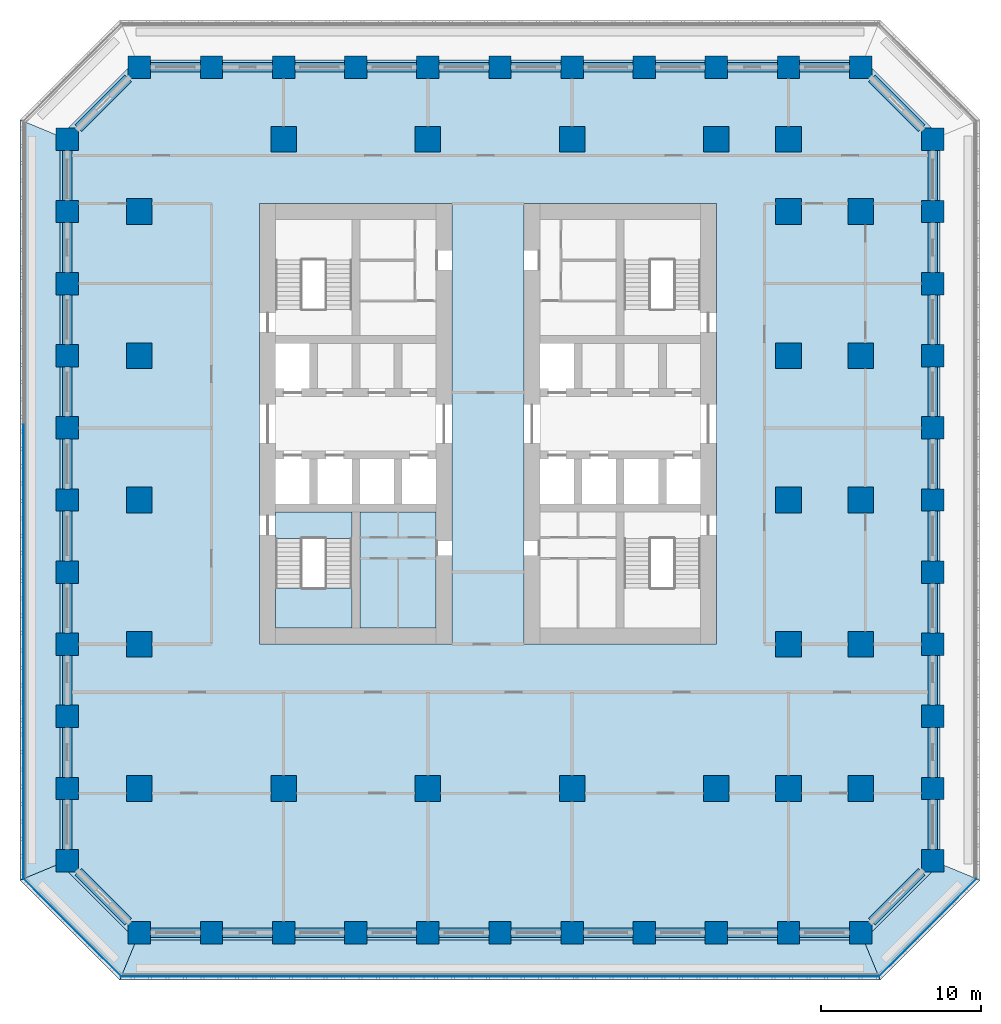
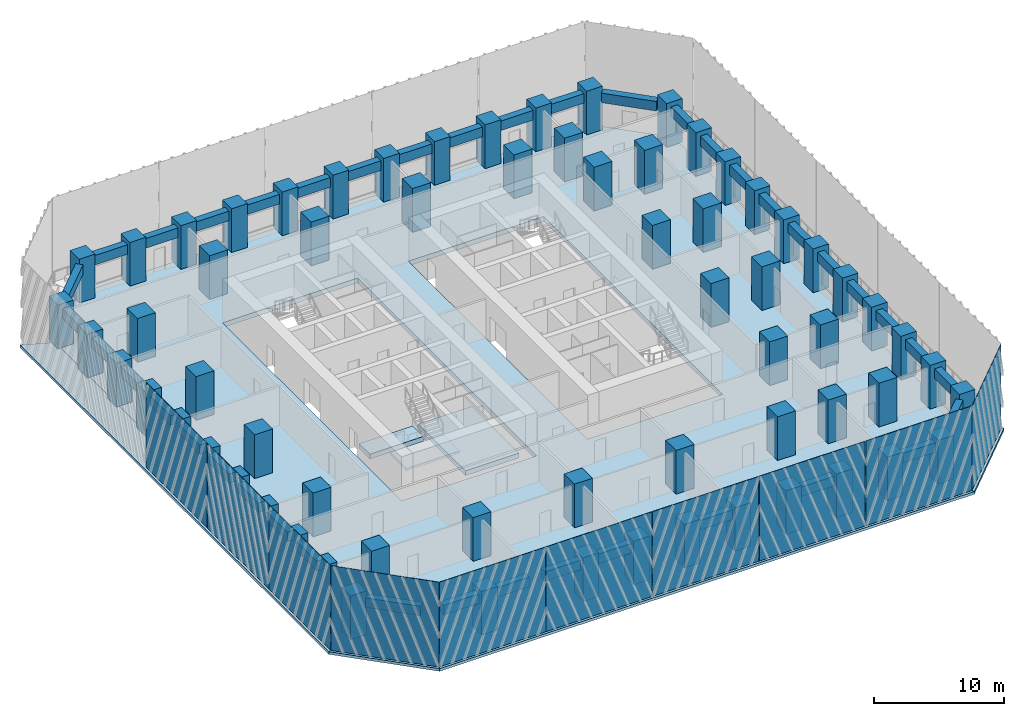
# One storey, part 1 of 14: 68 columns, 44 beams, 10 plates, 8 slabs, 1 element without a shape of its own.
"""IFC4 building model written with IfcOpenShell, lengths in metres."""

from ifc_helpers import new_model, si_unit, direction, frame, origin, origin_2d, place, context, subcontext, project, spatial, polyline, rectangle, outline, extrude, material, layer, layer_set, material_profile, profile_set, type_object, element, aggregate, save


model = new_model("IFC4")

# Units and contexts
model_context = context("Model", 3, precision=1e-05, world=origin(), true_north=direction((0.0, 1.0)))
body_context = subcontext(model_context, "Body", "Model", "MODEL_VIEW")
ifc_project = project(units=[si_unit("LENGTHUNIT", "METRE"), si_unit("AREAUNIT", "SQUARE_METRE"), si_unit("VOLUMEUNIT", "CUBIC_METRE"), si_unit("PLANEANGLEUNIT", "RADIAN"), si_unit("MASSUNIT", "GRAM", prefix="KILO")], contexts=[model_context])

# Site, building, storey
site_placement = place(None, origin())
site = spatial("IfcSite", under=ifc_project, at=site_placement, CompositionType="ELEMENT")
building_placement = place(site_placement, origin())
building = spatial("IfcBuilding", under=site, at=building_placement, Name="Corbel Stack Research Tower", CompositionType="ELEMENT")
storey_placement = place(building_placement, frame((0.0, 0.0, 58.300048828125)))
storey = spatial("IfcBuildingStorey", under=building, at=storey_placement, Name="L13", CompositionType="ELEMENT", Elevation=58.300048828125)

# Columns
ifc_material_1 = material(Name="Concrete C70/85", Category="concrete")
ifc_material_profile_1 = material_profile(ifc_material_1, rectangle(XDim=1.39990234375, YDim=1.39990234375, at=origin_2d()), Name="RC 1400 x 1400")
ifc_profile_set_1 = profile_set([ifc_material_profile_1], Name="Concrete C70/85")
column_type_1 = type_object("IfcColumnType", Name="C-1400-70", PredefinedType="COLUMN", material=ifc_profile_set_1)
for number, where, z_axis, x_axis, name in (
    (1, (-22.5, -22.5, 0.0), (0.0, 0.0, 1.0), (1.0, 0.0, 0.0), "Column 3/C L13"),
    (2, (-22.5, -18.0, 0.0), (0.0, 0.0, 1.0), (1.0, 0.0, 0.0), "Column 3/D L13"),
    (3, (-22.5, -13.5, 0.0), (0.0, 0.0, 1.0), (1.0, 0.0, 0.0), "Column 3/E L13"),
    (4, (-22.5, -9.0, 0.0), (0.0, 0.0, 1.0), (1.0, 0.0, 0.0), "Column 3/F L13"),
    (5, (-22.5, -4.5, 0.0), (0.0, 0.0, 1.0), (1.0, 0.0, 0.0), "Column 3/G L13"),
    (6, (-22.5, 0.0, 0.0), (0.0, 0.0, 1.0), (1.0, 0.0, 0.0), "Column 3/H L13"),
    (7, (-22.5, 4.5, 0.0), (0.0, 0.0, 1.0), (1.0, 0.0, 0.0), "Column 3/J L13"),
    (8, (-22.5, 9.0, 0.0), (0.0, 0.0, 1.0), (1.0, 0.0, 0.0), "Column 3/K L13"),
    (9, (-22.5, 13.5, 0.0), (0.0, 0.0, 1.0), (1.0, 0.0, 0.0), "Column 3/L L13"),
    (10, (-22.5, 18.0, 0.0), (0.0, 0.0, 1.0), (1.0, 0.0, 0.0), "Column 3/M L13"),
    (11, (-22.5, 22.5, 0.0), (0.0, 0.0, 1.0), (1.0, 0.0, 0.0), "Column 3/N L13"),
    (12, (-18.0, -27.0, 0.0), (0.0, 0.0, 1.0), (1.0, 0.0, 0.0), "Column 4/B L13"),
    (13, (-18.0, 27.0, 0.0), (0.0, 0.0, 1.0), (1.0, 0.0, 0.0), "Column 4/P L13"),
    (14, (-13.5, -27.0, 0.0), (0.0, 0.0, 1.0), (1.0, 0.0, 0.0), "Column 5/B L13"),
    (15, (-13.5, 27.0, 0.0), (0.0, 0.0, 1.0), (1.0, 0.0, 0.0), "Column 5/P L13"),
    (16, (-9.0, -27.0, 0.0), (0.0, 0.0, 1.0), (1.0, 0.0, 0.0), "Column 6/B L13"),
    (17, (-9.0, 27.0, 0.0), (0.0, 0.0, 1.0), (1.0, 0.0, 0.0), "Column 6/P L13"),
    (18, (-4.5, -27.0, 0.0), (0.0, 0.0, 1.0), (1.0, 0.0, 0.0), "Column 7/B L13"),
    (19, (-4.5, 27.0, 0.0), (0.0, 0.0, 1.0), (1.0, 0.0, 0.0), "Column 7/P L13"),
    (20, (0.0, -27.0, 0.0), (0.0, 0.0, 1.0), (1.0, 0.0, 0.0), "Column 8/B L13"),
    (21, (0.0, 27.0, 0.0), (0.0, 0.0, 1.0), (1.0, 0.0, 0.0), "Column 8/P L13"),
    (22, (4.5, -27.0, 0.0), (0.0, 0.0, 1.0), (1.0, 0.0, 0.0), "Column 9/B L13"),
    (23, (4.5, 27.0, 0.0), (0.0, 0.0, 1.0), (1.0, 0.0, 0.0), "Column 9/P L13"),
    (24, (9.0, -27.0, 0.0), (0.0, 0.0, 1.0), (1.0, 0.0, 0.0), "Column 10/B L13"),
    (25, (9.0, 27.0, 0.0), (0.0, 0.0, 1.0), (1.0, 0.0, 0.0), "Column 10/P L13"),
    (26, (13.5, -27.0, 0.0), (0.0, 0.0, 1.0), (1.0, 0.0, 0.0), "Column 11/B L13"),
    (27, (13.5, 27.0, 0.0), (0.0, 0.0, 1.0), (1.0, 0.0, 0.0), "Column 11/P L13"),
    (28, (18.0, -27.0, 0.0), (0.0, 0.0, 1.0), (1.0, 0.0, 0.0), "Column 12/B L13"),
    (29, (18.0, 27.0, 0.0), (0.0, 0.0, 1.0), (1.0, 0.0, 0.0), "Column 12/P L13"),
    (30, (22.5, -27.0, 0.0), (0.0, 0.0, 1.0), (1.0, 0.0, 0.0), "Column 13/B L13"),
    (31, (22.5, 27.0, 0.0), (0.0, 0.0, 1.0), (1.0, 0.0, 0.0), "Column 13/P L13"),
    (32, (27.0, -27.0, 0.0), (0.0, 0.0, 1.0), (1.0, 0.0, 0.0), "Column 14/B L13"),
    (33, (27.0, 27.0, 0.0), (0.0, 0.0, 1.0), (1.0, 0.0, 0.0), "Column 14/P L13"),
    (34, (31.5, -22.5, 0.0), (0.0, 0.0, 1.0), (1.0, 0.0, 0.0), "Column 15/C L13"),
    (35, (31.5, -18.0, 0.0), (0.0, 0.0, 1.0), (1.0, 0.0, 0.0), "Column 15/D L13"),
    (36, (31.5, -13.5, 0.0), (0.0, 0.0, 1.0), (1.0, 0.0, 0.0), "Column 15/E L13"),
    (37, (31.5, -9.0, 0.0), (0.0, 0.0, 1.0), (1.0, 0.0, 0.0), "Column 15/F L13"),
    (38, (31.5, -4.5, 0.0), (0.0, 0.0, 1.0), (1.0, 0.0, 0.0), "Column 15/G L13"),
    (39, (31.5, 0.0, 0.0), (0.0, 0.0, 1.0), (1.0, 0.0, 0.0), "Column 15/H L13"),
    (40, (31.5, 4.5, 0.0), (0.0, 0.0, 1.0), (1.0, 0.0, 0.0), "Column 15/J L13"),
    (41, (31.5, 9.0, 0.0), (0.0, 0.0, 1.0), (1.0, 0.0, 0.0), "Column 15/K L13"),
    (42, (31.5, 13.5, 0.0), (0.0, 0.0, 1.0), (1.0, 0.0, 0.0), "Column 15/L L13"),
    (43, (31.5, 18.0, 0.0), (0.0, 0.0, 1.0), (1.0, 0.0, 0.0), "Column 15/M L13"),
    (44, (31.5, 22.5, 0.0), (0.0, 0.0, 1.0), (1.0, 0.0, 0.0), "Column 15/N L13"),
):
    element("IfcColumn", number, at=place(storey_placement, frame(where, z_axis=z_axis, x_axis=x_axis)), inside=storey, type_object=column_type_1, Name=name, PredefinedType="COLUMN", context=body_context, shape_type="SweptSolid", body=[
        extrude(rectangle(XDim=1.39990234375, YDim=1.39990234375, at=origin_2d()), origin(), (0.0, 0.0, 1.0), 4.099853515625),
    ])
ifc_material_2 = material(Name="Concrete C70/85", Category="concrete")
ifc_material_profile_2 = material_profile(ifc_material_2, rectangle(XDim=1.60009765625, YDim=1.60009765625, at=origin_2d()), Name="RC 1600 x 1600")
ifc_profile_set_2 = profile_set([ifc_material_profile_2], Name="Concrete C70/85")
column_type_2 = type_object("IfcColumnType", Name="C-1600-70", PredefinedType="COLUMN", material=ifc_profile_set_2)
for number, where, z_axis, x_axis, name in (
    (45, (-18.0, -18.0, 0.0), (0.0, 0.0, 1.0), (1.0, 0.0, 0.0), "Column 4/D L13"),
    (46, (-18.0, -9.0, 0.0), (0.0, 0.0, 1.0), (1.0, 0.0, 0.0), "Column 4/F L13"),
    (47, (-18.0, 0.0, 0.0), (0.0, 0.0, 1.0), (1.0, 0.0, 0.0), "Column 4/H L13"),
    (48, (-18.0, 9.0, 0.0), (0.0, 0.0, 1.0), (1.0, 0.0, 0.0), "Column 4/K L13"),
    (49, (-18.0, 18.0, 0.0), (0.0, 0.0, 1.0), (1.0, 0.0, 0.0), "Column 4/M L13"),
    (50, (-9.0, -18.0, 0.0), (0.0, 0.0, 1.0), (1.0, 0.0, 0.0), "Column 6/D L13"),
    (51, (-9.0, 22.5, 0.0), (0.0, 0.0, 1.0), (1.0, 0.0, 0.0), "Column 6/N L13"),
    (52, (0.0, -18.0, 0.0), (0.0, 0.0, 1.0), (1.0, 0.0, 0.0), "Column 8/D L13"),
    (53, (0.0, 22.5, 0.0), (0.0, 0.0, 1.0), (1.0, 0.0, 0.0), "Column 8/N L13"),
    (54, (9.0, -18.0, 0.0), (0.0, 0.0, 1.0), (1.0, 0.0, 0.0), "Column 10/D L13"),
    (55, (9.0, 22.5, 0.0), (0.0, 0.0, 1.0), (1.0, 0.0, 0.0), "Column 10/N L13"),
    (56, (18.0, -18.0, 0.0), (0.0, 0.0, 1.0), (1.0, 0.0, 0.0), "Column 12/D L13"),
    (57, (18.0, 22.5, 0.0), (0.0, 0.0, 1.0), (1.0, 0.0, 0.0), "Column 12/N L13"),
    (58, (22.5, -18.0, 0.0), (0.0, 0.0, 1.0), (1.0, 0.0, 0.0), "Column 13/D L13"),
    (59, (22.5, -9.0, 0.0), (0.0, 0.0, 1.0), (1.0, 0.0, 0.0), "Column 13/F L13"),
    (60, (22.5, 0.0, 0.0), (0.0, 0.0, 1.0), (1.0, 0.0, 0.0), "Column 13/H L13"),
    (61, (22.5, 9.0, 0.0), (0.0, 0.0, 1.0), (1.0, 0.0, 0.0), "Column 13/K L13"),
    (62, (22.5, 18.0, 0.0), (0.0, 0.0, 1.0), (1.0, 0.0, 0.0), "Column 13/M L13"),
    (63, (22.5, 22.5, 0.0), (0.0, 0.0, 1.0), (1.0, 0.0, 0.0), "Column 13/N L13"),
    (64, (27.0, -18.0, 0.0), (0.0, 0.0, 1.0), (1.0, 0.0, 0.0), "Column 14/D L13"),
    (65, (27.0, -9.0, 0.0), (0.0, 0.0, 1.0), (1.0, 0.0, 0.0), "Column 14/F L13"),
    (66, (27.0, 0.0, 0.0), (0.0, 0.0, 1.0), (1.0, 0.0, 0.0), "Column 14/H L13"),
    (67, (27.0, 9.0, 0.0), (0.0, 0.0, 1.0), (1.0, 0.0, 0.0), "Column 14/K L13"),
    (68, (27.0, 18.0, 0.0), (0.0, 0.0, 1.0), (1.0, 0.0, 0.0), "Column 14/M L13"),
):
    element("IfcColumn", number, at=place(storey_placement, frame(where, z_axis=z_axis, x_axis=x_axis)), inside=storey, type_object=column_type_2, Name=name, PredefinedType="COLUMN", context=body_context, shape_type="SweptSolid", body=[
        extrude(rectangle(XDim=1.60009765625, YDim=1.60009765625, at=origin_2d()), origin(), (0.0, 0.0, 1.0), 4.099853515625),
    ])

# Beams
ifc_material_3 = material(Name="Concrete C60/75", Category="concrete")
ifc_material_profile_3 = material_profile(ifc_material_3, rectangle(XDim=0.60009765625, YDim=0.89990234375, at=origin_2d()), Name="RC 600 x 900")
ifc_profile_set_3 = profile_set([ifc_material_profile_3], Name="Concrete C60/75")
beam_type = type_object("IfcBeamType", Name="SB-600-900-450", PredefinedType="SPANDREL", material=ifc_profile_set_3)
for number, where, z_axis, x_axis, name in (
    (69, (-17.300048828125, -27.0, 3.199951171875), (1.0, 0.0, 0.0), (0.0, 1.0, 0.0), "Spandrel beam L13-01"),
    (70, (-12.800048828125, -27.0, 3.199951171875), (1.0, 0.0, 0.0), (0.0, 1.0, 0.0), "Spandrel beam L13-02"),
    (71, (-8.300048828125, -27.0, 3.199951171875), (1.0, 0.0, 0.0), (0.0, 1.0, 0.0), "Spandrel beam L13-03"),
    (72, (-3.800048828125, -27.0, 3.199951171875), (1.0, 0.0, 0.0), (0.0, 1.0, 0.0), "Spandrel beam L13-04"),
    (73, (0.699951171875, -27.0, 3.199951171875), (1.0, 0.0, 0.0), (0.0, 1.0, 0.0), "Spandrel beam L13-05"),
    (74, (5.199951171875, -27.0, 3.199951171875), (1.0, 0.0, 0.0), (0.0, 1.0, 0.0), "Spandrel beam L13-06"),
    (75, (9.699951171875, -27.0, 3.199951171875), (1.0, 0.0, 0.0), (0.0, 1.0, 0.0), "Spandrel beam L13-07"),
    (76, (14.199951171875, -27.0, 3.199951171875), (1.0, 0.0, 0.0), (0.0, 1.0, 0.0), "Spandrel beam L13-08"),
    (77, (18.699951171875, -27.0, 3.199951171875), (1.0, 0.0, 0.0), (0.0, 1.0, 0.0), "Spandrel beam L13-09"),
    (78, (23.199951171875, -27.0, 3.199951171875), (1.0, 0.0, 0.0), (0.0, 1.0, 0.0), "Spandrel beam L13-10"),
):
    element("IfcBeam", number, at=place(storey_placement, frame(where, z_axis=z_axis, x_axis=x_axis)), inside=storey, type_object=beam_type, Name=name, PredefinedType="SPANDREL", context=body_context, shape_type="SweptSolid", body=[
        extrude(rectangle(XDim=0.60009765625, YDim=0.89990234375, at=origin_2d()), origin(), (0.0, 0.0, 1.0), 3.10009765625),
    ])
beam_1_placement = place(storey_placement, frame((27.699951171875, -26.300048828125, 3.199951171875), z_axis=(0.707106781187, 0.707106781187, 0.0), x_axis=(-0.707106781187, 0.707106781187, 0.0)))
element("IfcBeam", 79, at=beam_1_placement, inside=storey, type_object=beam_type, Name="Spandrel beam L13-11", PredefinedType="SPANDREL", context=body_context, shape_type="SweptSolid", body=[
    extrude(rectangle(XDim=0.60009765625, YDim=0.89990234375, at=origin_2d()), origin(), (0.0, 0.0, 1.0), 4.38427734375),
])
for number, where, z_axis, x_axis, name in (
    (80, (31.5, -21.800048828125, 3.199951171875), (0.0, 1.0, 0.0), (-1.0, 0.0, 0.0), "Spandrel beam L13-12"),
    (81, (31.5, -17.300048828125, 3.199951171875), (0.0, 1.0, 0.0), (-1.0, 0.0, 0.0), "Spandrel beam L13-13"),
    (82, (31.5, -12.800048828125, 3.199951171875), (0.0, 1.0, 0.0), (-1.0, 0.0, 0.0), "Spandrel beam L13-14"),
    (83, (31.5, -8.300048828125, 3.199951171875), (0.0, 1.0, 0.0), (-1.0, 0.0, 0.0), "Spandrel beam L13-15"),
    (84, (31.5, -3.800048828125, 3.199951171875), (0.0, 1.0, 0.0), (-1.0, 0.0, 0.0), "Spandrel beam L13-16"),
    (85, (31.5, 0.699951171875, 3.199951171875), (0.0, 1.0, 0.0), (-1.0, 0.0, 0.0), "Spandrel beam L13-17"),
    (86, (31.5, 5.199951171875, 3.199951171875), (0.0, 1.0, 0.0), (-1.0, 0.0, 0.0), "Spandrel beam L13-18"),
    (87, (31.5, 9.699951171875, 3.199951171875), (0.0, 1.0, 0.0), (-1.0, 0.0, 0.0), "Spandrel beam L13-19"),
    (88, (31.5, 14.199951171875, 3.199951171875), (0.0, 1.0, 0.0), (-1.0, 0.0, 0.0), "Spandrel beam L13-20"),
    (89, (31.5, 18.699951171875, 3.199951171875), (0.0, 1.0, 0.0), (-1.0, 0.0, 0.0), "Spandrel beam L13-21"),
):
    element("IfcBeam", number, at=place(storey_placement, frame(where, z_axis=z_axis, x_axis=x_axis)), inside=storey, type_object=beam_type, Name=name, PredefinedType="SPANDREL", context=body_context, shape_type="SweptSolid", body=[
        extrude(rectangle(XDim=0.60009765625, YDim=0.89990234375, at=origin_2d()), origin(), (0.0, 0.0, 1.0), 3.10009765625),
    ])
beam_2_placement = place(storey_placement, frame((30.800048828125, 23.199951171875, 3.199951171875), z_axis=(-0.707106781187, 0.707106781187, 0.0), x_axis=(-0.707106781187, -0.707106781187, 0.0)))
element("IfcBeam", 90, at=beam_2_placement, inside=storey, type_object=beam_type, Name="Spandrel beam L13-22", PredefinedType="SPANDREL", context=body_context, shape_type="SweptSolid", body=[
    extrude(rectangle(XDim=0.60009765625, YDim=0.89990234375, at=origin_2d()), origin(), (0.0, 0.0, 1.0), 4.38427734375),
])
for number, where, z_axis, x_axis, name in (
    (91, (26.300048828125, 27.0, 3.199951171875), (-1.0, 0.0, 0.0), (0.0, -1.0, 0.0), "Spandrel beam L13-23"),
    (92, (21.800048828125, 27.0, 3.199951171875), (-1.0, 0.0, 0.0), (0.0, -1.0, 0.0), "Spandrel beam L13-24"),
    (93, (17.300048828125, 27.0, 3.199951171875), (-1.0, 0.0, 0.0), (0.0, -1.0, 0.0), "Spandrel beam L13-25"),
    (94, (12.800048828125, 27.0, 3.199951171875), (-1.0, 0.0, 0.0), (0.0, -1.0, 0.0), "Spandrel beam L13-26"),
    (95, (8.300048828125, 27.0, 3.199951171875), (-1.0, 0.0, 0.0), (0.0, -1.0, 0.0), "Spandrel beam L13-27"),
    (96, (3.800048828125, 27.0, 3.199951171875), (-1.0, 0.0, 0.0), (0.0, -1.0, 0.0), "Spandrel beam L13-28"),
    (97, (-0.699951171875, 27.0, 3.199951171875), (-1.0, 0.0, 0.0), (0.0, -1.0, 0.0), "Spandrel beam L13-29"),
    (98, (-5.199951171875, 27.0, 3.199951171875), (-1.0, 0.0, 0.0), (0.0, -1.0, 0.0), "Spandrel beam L13-30"),
    (99, (-9.699951171875, 27.0, 3.199951171875), (-1.0, 0.0, 0.0), (0.0, -1.0, 0.0), "Spandrel beam L13-31"),
    (100, (-14.199951171875, 27.0, 3.199951171875), (-1.0, 0.0, 0.0), (0.0, -1.0, 0.0), "Spandrel beam L13-32"),
):
    element("IfcBeam", number, at=place(storey_placement, frame(where, z_axis=z_axis, x_axis=x_axis)), inside=storey, type_object=beam_type, Name=name, PredefinedType="SPANDREL", context=body_context, shape_type="SweptSolid", body=[
        extrude(rectangle(XDim=0.60009765625, YDim=0.89990234375, at=origin_2d()), origin(), (0.0, 0.0, 1.0), 3.10009765625),
    ])
beam_3_placement = place(storey_placement, frame((-18.699951171875, 26.300048828125, 3.199951171875), z_axis=(-0.707106781187, -0.707106781187, 0.0), x_axis=(0.707106781187, -0.707106781187, 0.0)))
element("IfcBeam", 101, at=beam_3_placement, inside=storey, type_object=beam_type, Name="Spandrel beam L13-33", PredefinedType="SPANDREL", context=body_context, shape_type="SweptSolid", body=[
    extrude(rectangle(XDim=0.60009765625, YDim=0.89990234375, at=origin_2d()), origin(), (0.0, 0.0, 1.0), 4.38427734375),
])
for number, where, z_axis, x_axis, name in (
    (102, (-22.5, 21.800048828125, 3.199951171875), (0.0, -1.0, 0.0), (1.0, 0.0, 0.0), "Spandrel beam L13-34"),
    (103, (-22.5, 17.300048828125, 3.199951171875), (0.0, -1.0, 0.0), (1.0, 0.0, 0.0), "Spandrel beam L13-35"),
    (104, (-22.5, 12.800048828125, 3.199951171875), (0.0, -1.0, 0.0), (1.0, 0.0, 0.0), "Spandrel beam L13-36"),
    (105, (-22.5, 8.300048828125, 3.199951171875), (0.0, -1.0, 0.0), (1.0, 0.0, 0.0), "Spandrel beam L13-37"),
    (106, (-22.5, 3.800048828125, 3.199951171875), (0.0, -1.0, 0.0), (1.0, 0.0, 0.0), "Spandrel beam L13-38"),
    (107, (-22.5, -0.699951171875, 3.199951171875), (0.0, -1.0, 0.0), (1.0, 0.0, 0.0), "Spandrel beam L13-39"),
    (108, (-22.5, -5.199951171875, 3.199951171875), (0.0, -1.0, 0.0), (1.0, 0.0, 0.0), "Spandrel beam L13-40"),
    (109, (-22.5, -9.699951171875, 3.199951171875), (0.0, -1.0, 0.0), (1.0, 0.0, 0.0), "Spandrel beam L13-41"),
    (110, (-22.5, -14.199951171875, 3.199951171875), (0.0, -1.0, 0.0), (1.0, 0.0, 0.0), "Spandrel beam L13-42"),
    (111, (-22.5, -18.699951171875, 3.199951171875), (0.0, -1.0, 0.0), (1.0, 0.0, 0.0), "Spandrel beam L13-43"),
):
    element("IfcBeam", number, at=place(storey_placement, frame(where, z_axis=z_axis, x_axis=x_axis)), inside=storey, type_object=beam_type, Name=name, PredefinedType="SPANDREL", context=body_context, shape_type="SweptSolid", body=[
        extrude(rectangle(XDim=0.60009765625, YDim=0.89990234375, at=origin_2d()), origin(), (0.0, 0.0, 1.0), 3.10009765625),
    ])
beam_4_placement = place(storey_placement, frame((-21.800048828125, -23.199951171875, 3.199951171875), z_axis=(0.707106781187, -0.707106781187, 0.0), x_axis=(0.707106781187, 0.707106781187, 0.0)))
element("IfcBeam", 112, at=beam_4_placement, inside=storey, type_object=beam_type, Name="Spandrel beam L13-44", PredefinedType="SPANDREL", context=body_context, shape_type="SweptSolid", body=[
    extrude(rectangle(XDim=0.60009765625, YDim=0.89990234375, at=origin_2d()), origin(), (0.0, 0.0, 1.0), 4.38427734375),
])

# Plates
ifc_material_4 = material(Name="Fritted glass", Category="glass")
ifc_layer_1 = layer(ifc_material_4, 0.02490234375)
ifc_layer_set_1 = layer_set([ifc_layer_1], Name="Fritted glass")
plate_type = type_object("IfcPlateType", Name="Fritted glass panel 25", PredefinedType="SHEET", material=ifc_layer_set_1)
for number, where, z_axis, x_axis, name in (
    (113, (-14.411376953125, -29.737548828125, 0.0), (0.0, 0.0, 1.0), (1.0, 0.0, 0.0), "Fritted glass L13 S1"),
    (114, (-4.95556640625, -29.737548828125, 0.0), (0.0, 0.0, 1.0), (1.0, 0.0, 0.0), "Fritted glass L13 S2"),
    (115, (4.5, -29.737548828125, 0.0), (0.0, 0.0, 1.0), (1.0, 0.0, 0.0), "Fritted glass L13 S3"),
    (116, (13.95556640625, -29.737548828125, 0.0), (0.0, 0.0, 1.0), (1.0, 0.0, 0.0), "Fritted glass L13 S4"),
    (117, (23.411376953125, -29.737548828125, 0.0), (0.0, 0.0, 1.0), (1.0, 0.0, 0.0), "Fritted glass L13 S5"),
):
    element("IfcPlate", number, at=place(storey_placement, frame(where, z_axis=z_axis, x_axis=x_axis)), inside=storey, type_object=plate_type, Name=name, PredefinedType="SHEET", context=body_context, shape_type="SweptSolid", body=[
        extrude(rectangle(XDim=9.3955078125, YDim=0.02490234375, at=origin_2d()), origin(), (0.0, 0.0, 1.0), 7.949951171875),
    ])
plate_1_placement = place(storey_placement, frame((31.185791015625, -26.685791015625, 0.0), z_axis=(0.0, 0.0, 1.0), x_axis=(0.707106781187, 0.707106781187, 0.0)))
element("IfcPlate", 118, at=plate_1_placement, inside=storey, type_object=plate_type, Name="Fritted glass L13 SE1", PredefinedType="SHEET", context=body_context, shape_type="SweptSolid", body=[
    extrude(rectangle(XDim=8.58203125, YDim=0.02490234375, at=origin_2d()), origin(), (0.0, 0.0, 1.0), 7.949951171875),
])
for number, where, z_axis, x_axis, name in (
    (119, (-25.237548828125, 0.0, 0.0), (0.0, 0.0, 1.0), (0.0, -1.0, 0.0), "Fritted glass L13 W3"),
    (120, (-25.237548828125, -9.45556640625, 0.0), (0.0, 0.0, 1.0), (0.0, -1.0, 0.0), "Fritted glass L13 W4"),
    (121, (-25.237548828125, -18.911376953125, 0.0), (0.0, 0.0, 1.0), (0.0, -1.0, 0.0), "Fritted glass L13 W5"),
):
    element("IfcPlate", number, at=place(storey_placement, frame(where, z_axis=z_axis, x_axis=x_axis)), inside=storey, type_object=plate_type, Name=name, PredefinedType="SHEET", context=body_context, shape_type="SweptSolid", body=[
        extrude(rectangle(XDim=9.3955078125, YDim=0.02490234375, at=origin_2d()), origin(), (0.0, 0.0, 1.0), 7.949951171875),
    ])
plate_2_placement = place(storey_placement, frame((-22.185791015625, -26.685791015625, 0.0), z_axis=(0.0, 0.0, 1.0), x_axis=(0.707106781187, -0.707106781187, 0.0)))
element("IfcPlate", 122, at=plate_2_placement, inside=storey, type_object=plate_type, Name="Fritted glass L13 SW1", PredefinedType="SHEET", context=body_context, shape_type="SweptSolid", body=[
    extrude(rectangle(XDim=8.58203125, YDim=0.02490234375, at=origin_2d()), origin(), (0.0, 0.0, 1.0), 7.949951171875),
])

# Slabs
ifc_material_5 = material(Name="Concrete C45/55", Category="concrete")
ifc_layer_2 = layer(ifc_material_5, 0.25)
ifc_layer_set_2 = layer_set([ifc_layer_2], Name="Concrete C45/55")
slab_type_1 = type_object("IfcSlabType", Name="PT balcony slab 250 C45/55", PredefinedType="FLOOR", material=ifc_layer_set_2)
slab_1_placement = place(storey_placement, frame((0.0, 0.0, -0.25)))
element("IfcSlab", 123, at=slab_1_placement, inside=storey, type_object=slab_type_1, Name="Loggia slab L13 S", PredefinedType="FLOOR", context=body_context, shape_type="SweptSolid", body=[
    extrude(outline(polyline([(27.289794921875, -27.699951171875), (26.300048828125, -27.699951171875), (26.300048828125, -27.449951171875), (23.199951171875, -27.449951171875), (23.199951171875, -27.699951171875), (21.800048828125, -27.699951171875), (21.800048828125, -27.449951171875), (18.699951171875, -27.449951171875), (18.699951171875, -27.699951171875), (17.300048828125, -27.699951171875), (17.300048828125, -27.449951171875), (14.199951171875, -27.449951171875), (14.199951171875, -27.699951171875), (12.800048828125, -27.699951171875), (12.800048828125, -27.449951171875), (9.699951171875, -27.449951171875), (9.699951171875, -27.699951171875), (8.300048828125, -27.699951171875), (8.300048828125, -27.449951171875), (5.199951171875, -27.449951171875), (5.199951171875, -27.699951171875), (3.800048828125, -27.699951171875), (3.800048828125, -27.449951171875), (0.699951171875, -27.449951171875), (0.699951171875, -27.699951171875), (-0.699951171875, -27.699951171875), (-0.699951171875, -27.449951171875), (-3.800048828125, -27.449951171875), (-3.800048828125, -27.699951171875), (-5.199951171875, -27.699951171875), (-5.199951171875, -27.449951171875), (-8.300048828125, -27.449951171875), (-8.300048828125, -27.699951171875), (-9.699951171875, -27.699951171875), (-9.699951171875, -27.449951171875), (-12.800048828125, -27.449951171875), (-12.800048828125, -27.699951171875), (-14.199951171875, -27.699951171875), (-14.199951171875, -27.449951171875), (-17.300048828125, -27.449951171875), (-17.300048828125, -27.699951171875), (-18.289794921875, -27.699951171875), (-19.221923828125, -29.949951171875), (28.221923828125, -29.949951171875), (27.289794921875, -27.699951171875)])), origin(), (0.0, 0.0, 1.0), 0.25),
])
slab_2_placement = place(storey_placement, frame((0.0, 0.0, -0.25)))
element("IfcSlab", 124, at=slab_2_placement, inside=storey, type_object=slab_type_1, Name="Loggia slab L13 SE", PredefinedType="FLOOR", context=body_context, shape_type="SweptSolid", body=[
    extrude(outline(polyline([(32.199951171875, -22.789794921875), (32.199951171875, -23.199951171875), (31.436279296875, -23.199951171875), (27.699951171875, -26.936279296875), (27.699951171875, -27.699951171875), (27.289794921875, -27.699951171875), (28.221923828125, -29.949951171875), (34.449951171875, -23.721923828125), (32.199951171875, -22.789794921875)])), origin(), (0.0, 0.0, 1.0), 0.25),
])
slab_3_placement = place(storey_placement, frame((0.0, 0.0, -0.25)))
element("IfcSlab", 125, at=slab_3_placement, inside=storey, type_object=slab_type_1, Name="Loggia slab L13 W", PredefinedType="FLOOR", context=body_context, shape_type="SweptSolid", body=[
    extrude(outline(polyline([(-23.199951171875, -22.789794921875), (-23.199951171875, -21.800048828125), (-22.949951171875, -21.800048828125), (-22.949951171875, -18.699951171875), (-23.199951171875, -18.699951171875), (-23.199951171875, -17.300048828125), (-22.949951171875, -17.300048828125), (-22.949951171875, -14.199951171875), (-23.199951171875, -14.199951171875), (-23.199951171875, -12.800048828125), (-22.949951171875, -12.800048828125), (-22.949951171875, -9.699951171875), (-23.199951171875, -9.699951171875), (-23.199951171875, -8.300048828125), (-22.949951171875, -8.300048828125), (-22.949951171875, -5.199951171875), (-23.199951171875, -5.199951171875), (-23.199951171875, -3.800048828125), (-22.949951171875, -3.800048828125), (-22.949951171875, -0.699951171875), (-23.199951171875, -0.699951171875), (-23.199951171875, 0.699951171875), (-22.949951171875, 0.699951171875), (-22.949951171875, 3.800048828125), (-23.199951171875, 3.800048828125), (-23.199951171875, 5.199951171875), (-22.949951171875, 5.199951171875), (-22.949951171875, 8.300048828125), (-23.199951171875, 8.300048828125), (-23.199951171875, 9.699951171875), (-22.949951171875, 9.699951171875), (-22.949951171875, 12.800048828125), (-23.199951171875, 12.800048828125), (-23.199951171875, 14.199951171875), (-22.949951171875, 14.199951171875), (-22.949951171875, 17.300048828125), (-23.199951171875, 17.300048828125), (-23.199951171875, 18.699951171875), (-22.949951171875, 18.699951171875), (-22.949951171875, 21.800048828125), (-23.199951171875, 21.800048828125), (-23.199951171875, 22.789794921875), (-25.449951171875, 23.721923828125), (-25.449951171875, -23.721923828125), (-23.199951171875, -22.789794921875)])), origin(), (0.0, 0.0, 1.0), 0.25),
])
slab_4_placement = place(storey_placement, frame((0.0, 0.0, -0.25)))
element("IfcSlab", 126, at=slab_4_placement, inside=storey, type_object=slab_type_1, Name="Loggia slab L13 SW", PredefinedType="FLOOR", context=body_context, shape_type="SweptSolid", body=[
    extrude(outline(polyline([(-18.289794921875, -27.699951171875), (-18.699951171875, -27.699951171875), (-18.699951171875, -26.936279296875), (-22.436279296875, -23.199951171875), (-23.199951171875, -23.199951171875), (-23.199951171875, -22.789794921875), (-25.449951171875, -23.721923828125), (-19.221923828125, -29.949951171875), (-18.289794921875, -27.699951171875)])), origin(), (0.0, 0.0, 1.0), 0.25),
])
ifc_material_6 = material(Name="Concrete C45/55", Category="concrete")
ifc_layer_3 = layer(ifc_material_6, 0.449951171875)
ifc_layer_set_3 = layer_set([ifc_layer_3], Name="Concrete C45/55")
slab_type_2 = type_object("IfcSlabType", Name="PT-450", PredefinedType="FLOOR", material=ifc_layer_set_3)
slab_5_placement = place(storey_placement, frame((0.0, 0.0, -0.449951171875)))
element("IfcSlab", 127, at=slab_5_placement, inside=storey, type_object=slab_type_2, Name="Floor slab L13", PredefinedType="FLOOR", context=body_context, shape_type="SweptSolid", body=[
    extrude(outline(polyline([(-18.186279296875, -27.449951171875), (27.186279296875, -27.449951171875), (31.949951171875, -22.686279296875), (31.949951171875, 22.686279296875), (27.186279296875, 27.449951171875), (-18.186279296875, 27.449951171875), (-22.949951171875, 22.686279296875), (-22.949951171875, -22.686279296875), (-18.186279296875, -27.449951171875)]), holes=[polyline([(26.199951171875, 17.199951171875), (26.199951171875, 18.800048828125), (27.800048828125, 18.800048828125), (27.800048828125, 17.199951171875), (26.199951171875, 17.199951171875)]), polyline([(26.199951171875, 8.199951171875), (26.199951171875, 9.800048828125), (27.800048828125, 9.800048828125), (27.800048828125, 8.199951171875), (26.199951171875, 8.199951171875)]), polyline([(27.800048828125, -0.800048828125), (26.199951171875, -0.800048828125), (26.199951171875, 0.800048828125), (27.800048828125, 0.800048828125), (27.800048828125, -0.800048828125)]), polyline([(26.199951171875, -9.800048828125), (26.199951171875, -8.199951171875), (27.800048828125, -8.199951171875), (27.800048828125, -9.800048828125), (26.199951171875, -9.800048828125)]), polyline([(26.199951171875, -18.800048828125), (26.199951171875, -17.199951171875), (27.800048828125, -17.199951171875), (27.800048828125, -18.800048828125), (26.199951171875, -18.800048828125)]), polyline([(21.699951171875, 21.699951171875), (21.699951171875, 23.300048828125), (23.300048828125, 23.300048828125), (23.300048828125, 21.699951171875), (21.699951171875, 21.699951171875)]), polyline([(21.699951171875, 17.199951171875), (21.699951171875, 18.800048828125), (23.300048828125, 18.800048828125), (23.300048828125, 17.199951171875), (21.699951171875, 17.199951171875)]), polyline([(21.699951171875, 8.199951171875), (21.699951171875, 9.800048828125), (23.300048828125, 9.800048828125), (23.300048828125, 8.199951171875), (21.699951171875, 8.199951171875)]), polyline([(21.699951171875, -0.800048828125), (21.699951171875, 0.800048828125), (23.300048828125, 0.800048828125), (23.300048828125, -0.800048828125), (21.699951171875, -0.800048828125)]), polyline([(23.300048828125, -9.800048828125), (21.699951171875, -9.800048828125), (21.699951171875, -8.199951171875), (23.300048828125, -8.199951171875), (23.300048828125, -9.800048828125)]), polyline([(21.699951171875, -18.800048828125), (21.699951171875, -17.199951171875), (23.300048828125, -17.199951171875), (23.300048828125, -18.800048828125), (21.699951171875, -18.800048828125)]), polyline([(17.199951171875, 21.699951171875), (17.199951171875, 23.300048828125), (18.800048828125, 23.300048828125), (18.800048828125, 21.699951171875), (17.199951171875, 21.699951171875)]), polyline([(18.800048828125, -18.800048828125), (17.199951171875, -18.800048828125), (17.199951171875, -17.199951171875), (18.800048828125, -17.199951171875), (18.800048828125, -18.800048828125)]), polyline([(6.0, -9.0), (6.0, 18.5), (18.0, 18.5), (18.0, -9.0), (6.0, -9.0)]), polyline([(8.199951171875, 21.699951171875), (8.199951171875, 23.300048828125), (9.800048828125, 23.300048828125), (9.800048828125, 21.699951171875), (8.199951171875, 21.699951171875)]), polyline([(9.800048828125, -18.800048828125), (8.199951171875, -18.800048828125), (8.199951171875, -17.199951171875), (9.800048828125, -17.199951171875), (9.800048828125, -18.800048828125)]), polyline([(1.5, -9.0), (-10.5, -9.0), (-10.5, 18.5), (1.5, 18.5), (1.5, -9.0)]), polyline([(-0.800048828125, 21.699951171875), (-0.800048828125, 23.300048828125), (0.800048828125, 23.300048828125), (0.800048828125, 21.699951171875), (-0.800048828125, 21.699951171875)]), polyline([(-0.800048828125, -18.800048828125), (-0.800048828125, -17.199951171875), (0.800048828125, -17.199951171875), (0.800048828125, -18.800048828125), (-0.800048828125, -18.800048828125)]), polyline([(-9.800048828125, 21.699951171875), (-9.800048828125, 23.300048828125), (-8.199951171875, 23.300048828125), (-8.199951171875, 21.699951171875), (-9.800048828125, 21.699951171875)]), polyline([(-9.800048828125, -18.800048828125), (-9.800048828125, -17.199951171875), (-8.199951171875, -17.199951171875), (-8.199951171875, -18.800048828125), (-9.800048828125, -18.800048828125)]), polyline([(-18.800048828125, 17.199951171875), (-18.800048828125, 18.800048828125), (-17.199951171875, 18.800048828125), (-17.199951171875, 17.199951171875), (-18.800048828125, 17.199951171875)]), polyline([(-18.800048828125, 8.199951171875), (-18.800048828125, 9.800048828125), (-17.199951171875, 9.800048828125), (-17.199951171875, 8.199951171875), (-18.800048828125, 8.199951171875)]), polyline([(-18.800048828125, -0.800048828125), (-18.800048828125, 0.800048828125), (-17.199951171875, 0.800048828125), (-17.199951171875, -0.800048828125), (-18.800048828125, -0.800048828125)]), polyline([(-18.800048828125, -9.800048828125), (-18.800048828125, -8.199951171875), (-17.199951171875, -8.199951171875), (-17.199951171875, -9.800048828125), (-18.800048828125, -9.800048828125)]), polyline([(-17.199951171875, -18.800048828125), (-18.800048828125, -18.800048828125), (-18.800048828125, -17.199951171875), (-17.199951171875, -17.199951171875), (-17.199951171875, -18.800048828125)])]), origin(), (0.0, 0.0, 1.0), 0.449951171875),
])
slab_6_placement = place(storey_placement, frame((0.0, 0.0, -0.449951171875)))
element("IfcSlab", 128, at=slab_6_placement, inside=storey, type_object=slab_type_2, Name="West core floor L13", PredefinedType="FLOOR", context=body_context, shape_type="SweptSolid", body=[
    extrude(outline(polyline([(-4.25, -0.75), (-4.25, -8.0), (0.5, -8.0), (0.5, -0.75), (-4.25, -0.75)])), origin(), (0.0, 0.0, 1.0), 0.449951171875),
])
slab_7_placement = place(storey_placement, frame((0.0, 0.0, -0.449951171875)))
element("IfcSlab", 129, at=slab_7_placement, inside=storey, type_object=slab_type_2, Name="Stair floor landing ST-W1", PredefinedType="FLOOR", context=body_context, shape_type="SweptSolid", body=[
    extrude(outline(polyline([(-9.5, -2.39990234375), (-4.75, -2.39990234375), (-4.75, -0.75), (-9.5, -0.75), (-9.5, -2.39990234375)])), origin(), (0.0, 0.0, 1.0), 0.449951171875),
])

# Stair, slab
ifc_material_7 = material(Name="Concrete C40/50", Category="concrete")
stair_type = type_object("IfcStairType", Name="Exit stair 24 risers", PredefinedType="HALF_TURN_STAIR", material=ifc_material_7)
stair_placement = place(storey_placement, origin())
stair = element("IfcStair", 130, at=stair_placement, inside=storey, type_object=stair_type, Name="L13 Exit stair ST-W1", PredefinedType="HALF_TURN_STAIR")
ifc_material_8 = material(Name="Concrete C40/50", Category="concrete")
ifc_layer_4 = layer(ifc_material_8, 0.199951171875)
ifc_layer_set_4 = layer_set([ifc_layer_4], Name="Concrete C40/50")
slab_type_3 = type_object("IfcSlabType", Name="Stair landing 200 C40/50", PredefinedType="LANDING", material=ifc_layer_set_4)
slab_8_placement = place(storey_placement, frame((0.0, 0.0, 1.849853515625)))
slab_8 = element("IfcSlab", 131, at=slab_8_placement, type_object=slab_type_3, Name="ST-W1 landing 1", PredefinedType="LANDING", context=body_context, shape_type="SweptSolid", body=[
    extrude(outline(polyline([(-9.5, -8.0), (-9.5, -5.47998046875), (-4.75, -5.47998046875), (-4.75, -8.0), (-9.5, -8.0)])), origin(), (0.0, 0.0, 1.0), 0.2001953125),
])
aggregate(stair, [slab_8])

save(model, "model.ifc")
